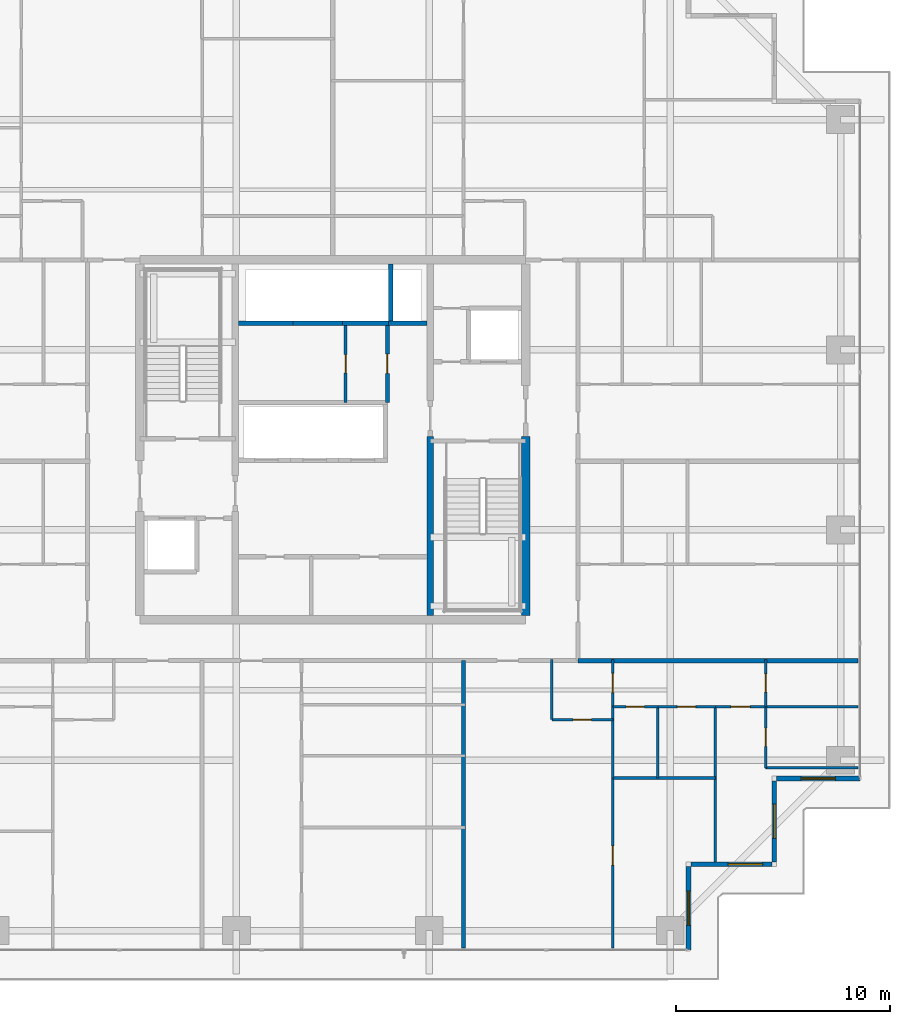
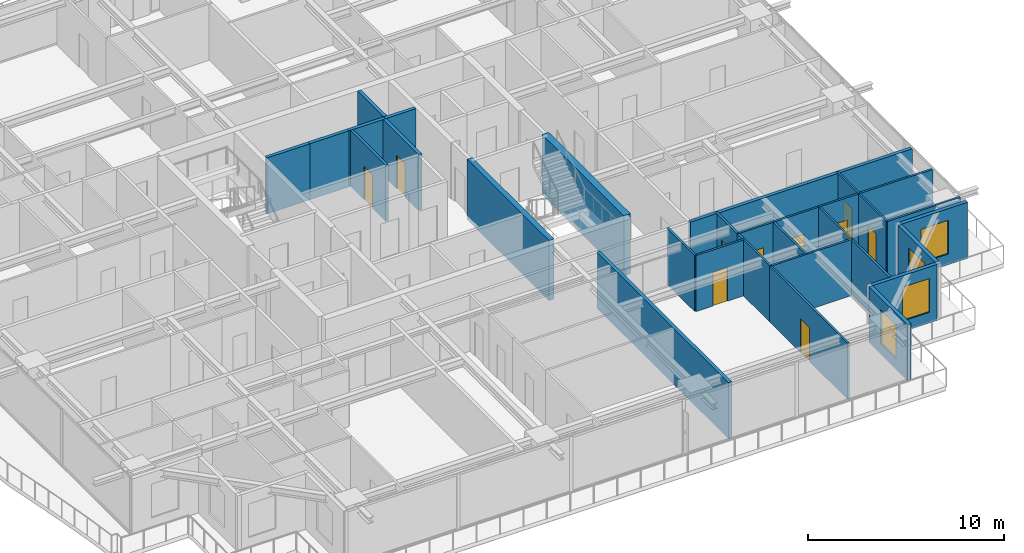
# One storey, part 28 of 39: 30 walls, 10 doors, 4 windows, 14 openings.
"""IFC4 building model written with IfcOpenShell, lengths in metres."""

from ifc_helpers import new_model, si_unit, direction, frame, frame_2d, origin, place, context, subcontext, project, spatial, rectangle, extrude, source, transform, mapped, material, layer, layer_set, type_object, element, fill, save


model = new_model("IFC4")

# Units and contexts
model_context = context("Model", 3, precision=1e-05, world=origin(), true_north=direction((0.0, 1.0)))
body_context = subcontext(model_context, "Body", "Model", "MODEL_VIEW")
ifc_project = project(units=[si_unit("LENGTHUNIT", "METRE"), si_unit("AREAUNIT", "SQUARE_METRE"), si_unit("VOLUMEUNIT", "CUBIC_METRE"), si_unit("PLANEANGLEUNIT", "RADIAN"), si_unit("MASSUNIT", "GRAM", prefix="KILO")], contexts=[model_context])

# Site, building, storey
site_placement = place(None, origin())
site = spatial("IfcSite", under=ifc_project, at=site_placement, CompositionType="ELEMENT")
building_placement = place(site_placement, origin())
building = spatial("IfcBuilding", under=site, at=building_placement, Name="Serunith Strait Residences", CompositionType="ELEMENT")
storey_placement = place(building_placement, frame((0.0, 0.0, 123.89990234375)))
storey = spatial("IfcBuildingStorey", under=building, at=storey_placement, Name="L30", CompositionType="ELEMENT", Elevation=123.89990234375)

# Wall, opening, window
ifc_material_1 = material(Name="Pale-Champagne Aluminium Insulated Panel", Category="aluminium")
ifc_layer_1 = layer(ifc_material_1, 0.219970703125, Name="Pale-Champagne Aluminium Insulated Panel")
ifc_layer_set_1 = layer_set([ifc_layer_1], Name="Pale-Champagne Aluminium Insulated Panel")
wall_type_1 = type_object("IfcWallType", Name="EW-ALUM-220", PredefinedType="ELEMENTEDWALL", material=ifc_layer_set_1)
wall_1_placement = place(storey_placement, frame((49.0, 1.39990234375, 0.0), z_axis=(0.0, 0.0, 1.0), x_axis=(0.0, 1.0, 0.0)))
wall_1 = element("IfcWall", 1, at=wall_1_placement, inside=storey, type_object=wall_type_1, Name="L30 Girih Serrated Corner Wall 02", PredefinedType="ELEMENTEDWALL", context=body_context, shape_type="SweptSolid", body=[
    extrude(rectangle(XDim=3.89013671875, YDim=0.219970703125, at=frame_2d((1.945068359375, 0.0))), origin(), (0.0, 0.0, 1.0), 3.47509765625),
])
opening_1_placement = place(wall_1_placement, frame((1.14501953125, 0.0, 0.64990234375)))
opening_1 = element("IfcOpeningElement", 2, at=opening_1_placement, cuts=wall_1, Name="Opening W-02", PredefinedType="OPENING", context=body_context, shape_type="SweptSolid", body=[
    extrude(rectangle(XDim=1.60009765625, YDim=2.10009765625, at=frame_2d((0.800048828125, 1.050048828125))), frame((0.0, 0.1201171875, 0.0), z_axis=(0.0, -1.0, 0.0), x_axis=(1.0, 0.0, 0.0)), (0.0, 0.0, 1.0), 0.239990234375),
])
ifc_material_2 = material(Name="Ceramic-Fritted Operable Aluminium Window Glass", Category="aluminium")
window_type = type_object("IfcWindowType", Name="WIN-C2", PartitioningType="DOUBLE_PANEL_VERTICAL", PredefinedType="WINDOW", material=ifc_material_2)
shared_shape_1 = source(origin(), body_context, "Body", "SweptSolid", [
    extrude(rectangle(XDim=1.60009765625, YDim=2.10009765625, at=frame_2d((0.800048828125, 1.050048828125))), frame((0.0, 0.030029296875, 0.0), z_axis=(0.0, -1.0, 0.0), x_axis=(1.0, 0.0, 0.0)), (0.0, 0.0, 1.0), 0.06005859375),
])
window_1_placement = place(opening_1_placement, origin())
window_1 = element("IfcWindow", 3, at=window_1_placement, inside=storey, type_object=window_type, Name="L30 Corner Operable Fritted Window 02", OverallHeight=2.10009765625, OverallWidth=1.60009765625, PartitioningType="SINGLE_PANEL", PredefinedType="WINDOW", context=body_context, shape_type="MappedRepresentation", body=[
    mapped(shared_shape_1, transform((0.0, 0.0, 0.0), scale=1.0)),
])
fill(opening_1, window_1)

wall_2_placement = place(storey_placement, frame((49.110107421875, 5.39990234375, 0.0), z_axis=(0.0, 0.0, 1.0), x_axis=(1.0, 0.0, 0.0)))
wall_2 = element("IfcWall", 4, at=wall_2_placement, inside=storey, type_object=wall_type_1, Name="L30 Girih Serrated Corner Wall 03", PredefinedType="ELEMENTEDWALL", context=body_context, shape_type="SweptSolid", body=[
    extrude(rectangle(XDim=3.77978515625, YDim=0.219970703125, at=frame_2d((1.889892578125, 0.0))), origin(), (0.0, 0.0, 1.0), 3.47509765625),
])
opening_2_placement = place(wall_2_placement, frame((1.743896484375, 0.0, 0.64990234375)))
opening_2 = element("IfcOpeningElement", 5, at=opening_2_placement, cuts=wall_2, Name="Opening W-02", PredefinedType="OPENING", context=body_context, shape_type="SweptSolid", body=[
    extrude(rectangle(XDim=1.60009765625, YDim=2.10009765625, at=frame_2d((0.800048828125, 1.050048828125))), frame((0.0, 0.1201171875, 0.0), z_axis=(0.0, -1.0, 0.0), x_axis=(1.0, 0.0, 0.0)), (0.0, 0.0, 1.0), 0.239990234375),
])
window_2_placement = place(opening_2_placement, origin())
window_2 = element("IfcWindow", 6, at=window_2_placement, inside=storey, type_object=window_type, Name="L30 Corner Operable Fritted Window 03", OverallHeight=2.10009765625, OverallWidth=1.60009765625, PartitioningType="SINGLE_PANEL", PredefinedType="WINDOW", context=body_context, shape_type="MappedRepresentation", body=[
    mapped(shared_shape_1, transform((0.0, 0.0, 0.0), scale=1.0)),
])
fill(opening_2, window_2)

wall_3_placement = place(storey_placement, frame((53.0, 5.510009765625, 0.0), z_axis=(0.0, 0.0, 1.0), x_axis=(0.0, 1.0, 0.0)))
wall_3 = element("IfcWall", 7, at=wall_3_placement, inside=storey, type_object=wall_type_1, Name="L30 Girih Serrated Corner Wall 04", PredefinedType="ELEMENTEDWALL", context=body_context, shape_type="SweptSolid", body=[
    extrude(rectangle(XDim=3.780029296875, YDim=0.219970703125, at=frame_2d((1.89013671875, 0.0))), origin(), (0.0, 0.0, 1.0), 3.47509765625),
])
opening_3_placement = place(wall_3_placement, frame((1.090087890625, 0.0, 0.64990234375)))
opening_3 = element("IfcOpeningElement", 8, at=opening_3_placement, cuts=wall_3, Name="Opening W-02", PredefinedType="OPENING", context=body_context, shape_type="SweptSolid", body=[
    extrude(rectangle(XDim=1.60009765625, YDim=2.10009765625, at=frame_2d((0.800048828125, 1.050048828125))), frame((0.0, 0.1201171875, 0.0), z_axis=(0.0, -1.0, 0.0), x_axis=(1.0, 0.0, 0.0)), (0.0, 0.0, 1.0), 0.239990234375),
])
window_3_placement = place(opening_3_placement, origin())
window_3 = element("IfcWindow", 9, at=window_3_placement, inside=storey, type_object=window_type, Name="L30 Corner Operable Fritted Window 04", OverallHeight=2.10009765625, OverallWidth=1.60009765625, PartitioningType="SINGLE_PANEL", PredefinedType="WINDOW", context=body_context, shape_type="MappedRepresentation", body=[
    mapped(shared_shape_1, transform((0.0, 0.0, 0.0), scale=1.0)),
])
fill(opening_3, window_3)

wall_4_placement = place(storey_placement, frame((53.110107421875, 9.39990234375, 0.0), z_axis=(0.0, 0.0, 1.0), x_axis=(1.0, 0.0, 0.0)))
wall_4 = element("IfcWall", 10, at=wall_4_placement, inside=storey, type_object=wall_type_1, Name="L30 Girih Serrated Corner Wall 05", PredefinedType="ELEMENTEDWALL", context=body_context, shape_type="SweptSolid", body=[
    extrude(rectangle(XDim=3.889892578125, YDim=0.219970703125, at=frame_2d((1.94482421875, 0.0))), origin(), (0.0, 0.0, 1.0), 3.47509765625),
])
opening_4_placement = place(wall_4_placement, frame((1.14501953125, 0.0, 0.64990234375)))
opening_4 = element("IfcOpeningElement", 11, at=opening_4_placement, cuts=wall_4, Name="Opening W-02", PredefinedType="OPENING", context=body_context, shape_type="SweptSolid", body=[
    extrude(rectangle(XDim=1.60009765625, YDim=2.10009765625, at=frame_2d((0.800048828125, 1.050048828125))), frame((0.0, 0.1201171875, 0.0), z_axis=(0.0, -1.0, 0.0), x_axis=(1.0, 0.0, 0.0)), (0.0, 0.0, 1.0), 0.239990234375),
])
window_4_placement = place(opening_4_placement, origin())
window_4 = element("IfcWindow", 12, at=window_4_placement, inside=storey, type_object=window_type, Name="L30 Corner Operable Fritted Window 05", OverallHeight=2.10009765625, OverallWidth=1.60009765625, PartitioningType="SINGLE_PANEL", PredefinedType="WINDOW", context=body_context, shape_type="MappedRepresentation", body=[
    mapped(shared_shape_1, transform((0.0, 0.0, 0.0), scale=1.0)),
])
fill(opening_4, window_4)

# Wall, opening, door
ifc_material_3 = material(Name="Fire-rated masonry service closet wall", Category="masonry")
ifc_layer_2 = layer(ifc_material_3, 0.14990234375, Name="Fire-rated masonry service closet wall")
ifc_layer_set_2 = layer_set([ifc_layer_2], Name="Fire-rated masonry service closet wall")
wall_type_2 = type_object("IfcWallType", Name="IW-BOH-150", PredefinedType="PARTITIONING", material=ifc_layer_set_2)
wall_5_placement = place(storey_placement, frame((33.0, 26.949951171875, 0.0), z_axis=(0.0, 0.0, 1.0), x_axis=(0.0, 1.0, 0.0)))
wall_5 = element("IfcWall", 13, at=wall_5_placement, inside=storey, type_object=wall_type_2, Name="L30 Partition Wall 014", PredefinedType="PARTITIONING", context=body_context, shape_type="SweptSolid", body=[
    extrude(rectangle(XDim=3.60009765625, YDim=0.14990234375, at=frame_2d((1.800048828125, 0.0))), origin(), (0.0, 0.0, 1.0), 3.489990234375),
])
opening_5_placement = place(wall_5_placement, frame((1.375, 0.0, 0.0)))
opening_5 = element("IfcOpeningElement", 14, at=opening_5_placement, cuts=wall_5, Name="Opening FD-850", PredefinedType="OPENING", context=body_context, shape_type="SweptSolid", body=[
    extrude(rectangle(XDim=0.85009765625, YDim=2.10009765625, at=frame_2d((0.425048828125, 1.050048828125))), frame((0.0, 0.0849609375, 0.0), z_axis=(0.0, -1.0, 0.0), x_axis=(1.0, 0.0, 0.0)), (0.0, 0.0, 1.0), 0.169921875),
])
ifc_material_4 = material(Name="Powder-coated steel service closet door", Category="steel")
door_type_1 = type_object("IfcDoorType", Name="FD-BOH-850", OperationType="NOTDEFINED", PredefinedType="DOOR", material=ifc_material_4)
shared_shape_2 = source(origin(), body_context, "Body", "SweptSolid", [
    extrude(rectangle(XDim=0.85009765625, YDim=2.10009765625, at=frame_2d((0.425048828125, 1.050048828125))), frame((0.0, 0.02490234375, 0.0), z_axis=(0.0, -1.0, 0.0), x_axis=(1.0, 0.0, 0.0)), (0.0, 0.0, 1.0), 0.050048828125),
])
door_1_placement = place(opening_5_placement, origin())
door_1 = element("IfcDoor", 15, at=door_1_placement, inside=storey, type_object=door_type_1, Name="L30 LV Switchgear Door", OperationType="SINGLE_SWING_LEFT", OverallHeight=2.10009765625, OverallWidth=0.85009765625, PredefinedType="DOOR", context=body_context, shape_type="MappedRepresentation", body=[
    mapped(shared_shape_2, transform((0.0, 0.0, 0.0), scale=1.0)),
])
fill(opening_5, door_1)

ifc_material_5 = material(Name="Lightweight steel-stud gypsum partition", Category="steel")
ifc_layer_3 = layer(ifc_material_5, 0.1201171875, Name="Lightweight steel-stud gypsum partition")
ifc_layer_set_3 = layer_set([ifc_layer_3], Name="Lightweight steel-stud gypsum partition")
wall_type_3 = type_object("IfcWallType", Name="IW-PART-120", PredefinedType="PARTITIONING", material=ifc_layer_set_3)
wall_6_placement = place(storey_placement, frame((42.6201171875, 12.14990234375, 0.0), z_axis=(0.0, 0.0, 1.0), x_axis=(1.0, 0.0, 0.0)))
wall_6 = element("IfcWall", 16, at=wall_6_placement, inside=storey, type_object=wall_type_3, Name="L30 Partition Wall 054", PredefinedType="PARTITIONING", context=body_context, shape_type="SweptSolid", body=[
    extrude(rectangle(XDim=2.849853515625, YDim=0.1201171875, at=frame_2d((1.4248046875, 0.0))), origin(), (0.0, 0.0, 1.0), 3.489990234375),
])
opening_6_placement = place(wall_6_placement, frame((1.0, 0.0, 0.0)))
opening_6 = element("IfcOpeningElement", 17, at=opening_6_placement, cuts=wall_6, Name="Opening D-RM850", PredefinedType="OPENING", context=body_context, shape_type="SweptSolid", body=[
    extrude(rectangle(XDim=0.85009765625, YDim=2.10009765625, at=frame_2d((0.425048828125, 1.050048828125))), frame((0.0, 0.070068359375, 0.0), z_axis=(0.0, -1.0, 0.0), x_axis=(1.0, 0.0, 0.0)), (0.0, 0.0, 1.0), 0.14013671875),
])
ifc_material_6 = material(Name="Engineered timber flush study and kitchen door", Category="wood")
door_type_2 = type_object("IfcDoorType", Name="ID-ROOM-850", OperationType="NOTDEFINED", PredefinedType="DOOR", material=ifc_material_6)
door_2_placement = place(opening_6_placement, origin())
door_2 = element("IfcDoor", 18, at=door_2_placement, inside=storey, type_object=door_type_2, Name="L30 Kitchen 3003 Door", OperationType="SINGLE_SWING_LEFT", OverallHeight=2.10009765625, OverallWidth=0.85009765625, PredefinedType="DOOR", context=body_context, shape_type="MappedRepresentation", body=[
    mapped(shared_shape_2, transform((0.0, 0.0, 0.0), scale=1.0)),
])
fill(opening_6, door_2)

# Wall
wall_7_placement = place(storey_placement, frame((42.6201171875, 12.14990234375, 0.0), z_axis=(0.0, 0.0, 1.0), x_axis=(0.0, 1.0, 0.0)))
element("IfcWall", 19, at=wall_7_placement, inside=storey, type_object=wall_type_3, Name="L30 Partition Wall 055", PredefinedType="PARTITIONING", context=body_context, shape_type="SweptSolid", body=[
    extrude(rectangle(XDim=2.81005859375, YDim=0.1201171875, at=frame_2d((1.405029296875, 0.0))), origin(), (0.0, 0.0, 1.0), 3.489990234375),
])

# Wall, opening, door
wall_8_placement = place(storey_placement, frame((45.469970703125, 12.75, 0.0), z_axis=(0.0, 0.0, 1.0), x_axis=(0.0, 1.0, 0.0)))
wall_8 = element("IfcWall", 20, at=wall_8_placement, inside=storey, type_object=wall_type_3, Name="L30 Partition Wall 056", PredefinedType="PARTITIONING", context=body_context, shape_type="SweptSolid", body=[
    extrude(rectangle(XDim=2.2099609375, YDim=0.1201171875, at=frame_2d((1.10498046875, 0.0))), origin(), (0.0, 0.0, 1.0), 3.489990234375),
])
opening_7_placement = place(wall_8_placement, frame((0.655029296875, 0.0, 0.0)))
opening_7 = element("IfcOpeningElement", 21, at=opening_7_placement, cuts=wall_8, Name="Opening D-RM900", PredefinedType="OPENING", context=body_context, shape_type="SweptSolid", body=[
    extrude(rectangle(XDim=0.89990234375, YDim=2.10009765625, at=frame_2d((0.449951171875, 1.050048828125))), frame((0.0, 0.070068359375, 0.0), z_axis=(0.0, -1.0, 0.0), x_axis=(1.0, 0.0, 0.0)), (0.0, 0.0, 1.0), 0.14013671875),
])
ifc_material_7 = material(Name="Engineered timber flush bedroom door", Category="wood")
door_type_3 = type_object("IfcDoorType", Name="ID-ROOM-900", OperationType="NOTDEFINED", PredefinedType="DOOR", material=ifc_material_7)
shared_shape_3 = source(origin(), body_context, "Body", "SweptSolid", [
    extrude(rectangle(XDim=0.89990234375, YDim=2.10009765625, at=frame_2d((0.449951171875, 1.050048828125))), frame((0.0, 0.02490234375, 0.0), z_axis=(0.0, -1.0, 0.0), x_axis=(1.0, 0.0, 0.0)), (0.0, 0.0, 1.0), 0.050048828125),
])
door_3_placement = place(opening_7_placement, origin())
door_3 = element("IfcDoor", 22, at=door_3_placement, inside=storey, type_object=door_type_3, Name="L30 Hall E 3003 Door", OperationType="SINGLE_SWING_RIGHT", OverallHeight=2.10009765625, OverallWidth=0.89990234375, PredefinedType="DOOR", context=body_context, shape_type="MappedRepresentation", body=[
    mapped(shared_shape_3, transform((0.0, 0.0, 0.0), scale=1.0)),
])
fill(opening_7, door_3)

wall_9_placement = place(storey_placement, frame((45.469970703125, 1.4951171875, 0.0), z_axis=(0.0, 0.0, 1.0), x_axis=(0.0, 1.0, 0.0)))
wall_9 = element("IfcWall", 23, at=wall_9_placement, inside=storey, type_object=wall_type_3, Name="L30 Partition Wall 057", PredefinedType="PARTITIONING", context=body_context, shape_type="SweptSolid", body=[
    extrude(rectangle(XDim=7.928955078125, YDim=0.1201171875, at=frame_2d((3.96435546875, 0.0))), origin(), (0.0, 0.0, 1.0), 3.489990234375),
])
opening_8_placement = place(wall_9_placement, frame((3.865966796875, 0.0, 0.0)))
opening_8 = element("IfcOpeningElement", 24, at=opening_8_placement, cuts=wall_9, Name="Opening D-RM900", PredefinedType="OPENING", context=body_context, shape_type="SweptSolid", body=[
    extrude(rectangle(XDim=0.89990234375, YDim=2.10009765625, at=frame_2d((0.449951171875, 1.050048828125))), frame((0.0, 0.070068359375, 0.0), z_axis=(0.0, -1.0, 0.0), x_axis=(1.0, 0.0, 0.0)), (0.0, 0.0, 1.0), 0.14013671875),
])
door_4_placement = place(opening_8_placement, origin())
door_4 = element("IfcDoor", 25, at=door_4_placement, inside=storey, type_object=door_type_3, Name="L30 Formal Dining Room 1 3003 Door", OperationType="SINGLE_SWING_LEFT", OverallHeight=2.10009765625, OverallWidth=0.89990234375, PredefinedType="DOOR", context=body_context, shape_type="MappedRepresentation", body=[
    mapped(shared_shape_3, transform((0.0, 0.0, 0.0), scale=1.0)),
])
fill(opening_8, door_4)

# Walls
wall_10_placement = place(storey_placement, frame((45.469970703125, 9.426025390625, 0.0), z_axis=(0.0, 0.0, 1.0), x_axis=(0.0, 1.0, 0.0)))
element("IfcWall", 26, at=wall_10_placement, inside=storey, type_object=wall_type_3, Name="L30 Partition Wall 058", PredefinedType="PARTITIONING", context=body_context, shape_type="SweptSolid", body=[
    extrude(rectangle(XDim=3.322021484375, YDim=0.1201171875, at=frame_2d((1.6611328125, 0.0))), origin(), (0.0, 0.0, 1.0), 3.489990234375),
])
wall_11_placement = place(storey_placement, frame((45.469970703125, 9.424072265625, 0.0), z_axis=(0.0, 0.0, 1.0), x_axis=(1.0, 0.0, 0.0)))
element("IfcWall", 27, at=wall_11_placement, inside=storey, type_object=wall_type_3, Name="L30 Partition Wall 059", PredefinedType="PARTITIONING", context=body_context, shape_type="SweptSolid", body=[
    extrude(rectangle(XDim=4.780029296875, YDim=0.1201171875, at=frame_2d((2.39013671875, 0.0))), origin(), (0.0, 0.0, 1.0), 3.489990234375),
])
wall_12_placement = place(storey_placement, frame((50.25, 5.4951171875, 0.0), z_axis=(0.0, 0.0, 1.0), x_axis=(0.0, 1.0, 0.0)))
element("IfcWall", 28, at=wall_12_placement, inside=storey, type_object=wall_type_3, Name="L30 Partition Wall 060", PredefinedType="PARTITIONING", context=body_context, shape_type="SweptSolid", body=[
    extrude(rectangle(XDim=7.2548828125, YDim=0.1201171875, at=frame_2d((3.62744140625, 0.0))), origin(), (0.0, 0.0, 1.0), 3.489990234375),
])
wall_13_placement = place(storey_placement, frame((47.570068359375, 9.424072265625, 0.0), z_axis=(0.0, 0.0, 1.0), x_axis=(0.0, 1.0, 0.0)))
element("IfcWall", 29, at=wall_13_placement, inside=storey, type_object=wall_type_3, Name="L30 Partition Wall 061", PredefinedType="PARTITIONING", context=body_context, shape_type="SweptSolid", body=[
    extrude(rectangle(XDim=3.325927734375, YDim=0.1201171875, at=frame_2d((1.6630859375, 0.0))), origin(), (0.0, 0.0, 1.0), 3.489990234375),
])

# Wall, opening, door
wall_14_placement = place(storey_placement, frame((45.469970703125, 12.75, 0.0), z_axis=(0.0, 0.0, 1.0), x_axis=(1.0, 0.0, 0.0)))
wall_14 = element("IfcWall", 30, at=wall_14_placement, inside=storey, type_object=wall_type_3, Name="L30 Partition Wall 062", PredefinedType="PARTITIONING", context=body_context, shape_type="SweptSolid", body=[
    extrude(rectangle(XDim=2.10009765625, YDim=0.1201171875, at=frame_2d((1.050048828125, 0.0))), origin(), (0.0, 0.0, 1.0), 3.489990234375),
])
opening_9_placement = place(wall_14_placement, frame((0.625, 0.0, 0.0)))
opening_9 = element("IfcOpeningElement", 31, at=opening_9_placement, cuts=wall_14, Name="Opening D-BTH850", PredefinedType="OPENING", context=body_context, shape_type="SweptSolid", body=[
    extrude(rectangle(XDim=0.85009765625, YDim=2.10009765625, at=frame_2d((0.425048828125, 1.050048828125))), frame((0.0, 0.070068359375, 0.0), z_axis=(0.0, -1.0, 0.0), x_axis=(1.0, 0.0, 0.0)), (0.0, 0.0, 1.0), 0.14013671875),
])
ifc_material_8 = material(Name="Moisture-resistant timber bathroom door", Category="wood")
door_type_4 = type_object("IfcDoorType", Name="ID-BATH-850", OperationType="NOTDEFINED", PredefinedType="DOOR", material=ifc_material_8)
door_5_placement = place(opening_9_placement, origin())
door_5 = element("IfcDoor", 32, at=door_5_placement, inside=storey, type_object=door_type_4, Name="L30 Bathroom 3003 Door", OperationType="SINGLE_SWING_RIGHT", OverallHeight=2.10009765625, OverallWidth=0.85009765625, PredefinedType="DOOR", context=body_context, shape_type="MappedRepresentation", body=[
    mapped(shared_shape_2, transform((0.0, 0.0, 0.0), scale=1.0)),
])
fill(opening_9, door_5)

wall_15_placement = place(storey_placement, frame((47.572021484375, 12.75, 0.0), z_axis=(0.0, 0.0, 1.0), x_axis=(1.0, 0.0, 0.0)))
wall_15 = element("IfcWall", 33, at=wall_15_placement, inside=storey, type_object=wall_type_3, Name="L30 Partition Wall 063", PredefinedType="PARTITIONING", context=body_context, shape_type="SweptSolid", body=[
    extrude(rectangle(XDim=2.677978515625, YDim=0.1201171875, at=frame_2d((1.3388671875, 0.0))), origin(), (0.0, 0.0, 1.0), 3.489990234375),
])
opening_10_placement = place(wall_15_placement, frame((0.9140625, 0.0, 0.0)))
opening_10 = element("IfcOpeningElement", 34, at=opening_10_placement, cuts=wall_15, Name="Opening D-RM850", PredefinedType="OPENING", context=body_context, shape_type="SweptSolid", body=[
    extrude(rectangle(XDim=0.85009765625, YDim=2.10009765625, at=frame_2d((0.425048828125, 1.050048828125))), frame((0.0, 0.070068359375, 0.0), z_axis=(0.0, -1.0, 0.0), x_axis=(1.0, 0.0, 0.0)), (0.0, 0.0, 1.0), 0.14013671875),
])
door_6_placement = place(opening_10_placement, origin())
door_6 = element("IfcDoor", 35, at=door_6_placement, inside=storey, type_object=door_type_2, Name="L30 Laundry Room 3003 Door", OperationType="SINGLE_SWING_LEFT", OverallHeight=2.10009765625, OverallWidth=0.85009765625, PredefinedType="DOOR", context=body_context, shape_type="MappedRepresentation", body=[
    mapped(shared_shape_2, transform((0.0, 0.0, 0.0), scale=1.0)),
])
fill(opening_10, door_6)

wall_16_placement = place(storey_placement, frame((50.251953125, 12.75, 0.0), z_axis=(0.0, 0.0, 1.0), x_axis=(1.0, 0.0, 0.0)))
wall_16 = element("IfcWall", 36, at=wall_16_placement, inside=storey, type_object=wall_type_3, Name="L30 Partition Wall 064", PredefinedType="PARTITIONING", context=body_context, shape_type="SweptSolid", body=[
    extrude(rectangle(XDim=2.34814453125, YDim=0.1201171875, at=frame_2d((1.174072265625, 0.0))), origin(), (0.0, 0.0, 1.0), 3.489990234375),
])
opening_11_placement = place(wall_16_placement, frame((0.72412109375, 0.0, 0.0)))
opening_11 = element("IfcOpeningElement", 37, at=opening_11_placement, cuts=wall_16, Name="Opening D-RM900", PredefinedType="OPENING", context=body_context, shape_type="SweptSolid", body=[
    extrude(rectangle(XDim=0.89990234375, YDim=2.10009765625, at=frame_2d((0.449951171875, 1.050048828125))), frame((0.0, 0.070068359375, 0.0), z_axis=(0.0, -1.0, 0.0), x_axis=(1.0, 0.0, 0.0)), (0.0, 0.0, 1.0), 0.14013671875),
])
door_7_placement = place(opening_11_placement, origin())
door_7 = element("IfcDoor", 38, at=door_7_placement, inside=storey, type_object=door_type_3, Name="L30 Master Bedroom E 3003 Door", OperationType="SINGLE_SWING_RIGHT", OverallHeight=2.10009765625, OverallWidth=0.89990234375, PredefinedType="DOOR", context=body_context, shape_type="MappedRepresentation", body=[
    mapped(shared_shape_3, transform((0.0, 0.0, 0.0), scale=1.0)),
])
fill(opening_11, door_7)

# Walls
wall_17_placement = place(storey_placement, frame((52.60009765625, 9.89501953125, 0.0), z_axis=(0.0, 0.0, 1.0), x_axis=(1.0, 0.0, 0.0)))
element("IfcWall", 39, at=wall_17_placement, inside=storey, type_object=wall_type_3, Name="L30 Partition Wall 065", PredefinedType="PARTITIONING", context=body_context, shape_type="SweptSolid", body=[
    extrude(rectangle(XDim=4.304931640625, YDim=0.1201171875, at=frame_2d((2.15234375, 0.0))), origin(), (0.0, 0.0, 1.0), 3.489990234375),
])
wall_18_placement = place(storey_placement, frame((52.60205078125, 12.75, 0.0), z_axis=(0.0, 0.0, 1.0), x_axis=(1.0, 0.0, 0.0)))
element("IfcWall", 40, at=wall_18_placement, inside=storey, type_object=wall_type_3, Name="L30 Partition Wall 066", PredefinedType="PARTITIONING", context=body_context, shape_type="SweptSolid", body=[
    extrude(rectangle(XDim=4.302978515625, YDim=0.1201171875, at=frame_2d((2.1513671875, 0.0))), origin(), (0.0, 0.0, 1.0), 3.489990234375),
])

# Wall, opening, door
wall_19_placement = place(storey_placement, frame((52.60009765625, 9.89501953125, 0.0), z_axis=(0.0, 0.0, 1.0), x_axis=(0.0, 1.0, 0.0)))
wall_19 = element("IfcWall", 41, at=wall_19_placement, inside=storey, type_object=wall_type_3, Name="L30 Partition Wall 067", PredefinedType="PARTITIONING", context=body_context, shape_type="SweptSolid", body=[
    extrude(rectangle(XDim=2.85498046875, YDim=0.1201171875, at=frame_2d((1.427490234375, 0.0))), origin(), (0.0, 0.0, 1.0), 3.489990234375),
])
opening_12_placement = place(wall_19_placement, frame((1.0029296875, 0.0, 0.0)))
opening_12 = element("IfcOpeningElement", 42, at=opening_12_placement, cuts=wall_19, Name="Opening D-BTH850", PredefinedType="OPENING", context=body_context, shape_type="SweptSolid", body=[
    extrude(rectangle(XDim=0.85009765625, YDim=2.10009765625, at=frame_2d((0.425048828125, 1.050048828125))), frame((0.0, 0.070068359375, 0.0), z_axis=(0.0, -1.0, 0.0), x_axis=(1.0, 0.0, 0.0)), (0.0, 0.0, 1.0), 0.14013671875),
])
door_8_placement = place(opening_12_placement, origin())
door_8 = element("IfcDoor", 43, at=door_8_placement, inside=storey, type_object=door_type_4, Name="L30 En-suite Bathroom E 3003 Door", OperationType="SINGLE_SWING_LEFT", OverallHeight=2.10009765625, OverallWidth=0.85009765625, PredefinedType="DOOR", context=body_context, shape_type="MappedRepresentation", body=[
    mapped(shared_shape_2, transform((0.0, 0.0, 0.0), scale=1.0)),
])
fill(opening_12, door_8)

wall_20_placement = place(storey_placement, frame((52.60009765625, 12.751953125, 0.0), z_axis=(0.0, 0.0, 1.0), x_axis=(0.0, 1.0, 0.0)))
wall_20 = element("IfcWall", 44, at=wall_20_placement, inside=storey, type_object=wall_type_3, Name="L30 Partition Wall 068", PredefinedType="PARTITIONING", context=body_context, shape_type="SweptSolid", body=[
    extrude(rectangle(XDim=2.2080078125, YDim=0.1201171875, at=frame_2d((1.10400390625, 0.0))), origin(), (0.0, 0.0, 1.0), 3.489990234375),
])
opening_13_placement = place(wall_20_placement, frame((0.678955078125, 0.0, 0.0)))
opening_13 = element("IfcOpeningElement", 45, at=opening_13_placement, cuts=wall_20, Name="Opening D-RM850", PredefinedType="OPENING", context=body_context, shape_type="SweptSolid", body=[
    extrude(rectangle(XDim=0.85009765625, YDim=2.10009765625, at=frame_2d((0.425048828125, 1.050048828125))), frame((0.0, 0.070068359375, 0.0), z_axis=(0.0, -1.0, 0.0), x_axis=(1.0, 0.0, 0.0)), (0.0, 0.0, 1.0), 0.14013671875),
])
door_9_placement = place(opening_13_placement, origin())
door_9 = element("IfcDoor", 46, at=door_9_placement, inside=storey, type_object=door_type_2, Name="L30 Wardrobe E 3003 Door", OperationType="SINGLE_SWING_RIGHT", OverallHeight=2.10009765625, OverallWidth=0.85009765625, PredefinedType="DOOR", context=body_context, shape_type="MappedRepresentation", body=[
    mapped(shared_shape_2, transform((0.0, 0.0, 0.0), scale=1.0)),
])
fill(opening_13, door_9)

# Walls
ifc_material_9 = material(Name="Twin-stud acoustic gypsum board partition")
ifc_layer_4 = layer(ifc_material_9, 0.199951171875, Name="Twin-stud acoustic gypsum board partition")
ifc_layer_set_4 = layer_set([ifc_layer_4], Name="Twin-stud acoustic gypsum board partition")
wall_type_4 = type_object("IfcWallType", Name="IW-PARTY-200", PredefinedType="PARTITIONING", material=ifc_layer_set_4)
wall_21_placement = place(storey_placement, frame((38.5, 1.48193359375, 0.0), z_axis=(0.0, 0.0, 1.0), x_axis=(0.0, 1.0, 0.0)))
element("IfcWall", 47, at=wall_21_placement, inside=storey, type_object=wall_type_4, Name="L30 Partition Wall 019", PredefinedType="PARTITIONING", context=body_context, shape_type="SweptSolid", body=[
    extrude(rectangle(XDim=13.41796875, YDim=0.199951171875, at=frame_2d((6.708984375, 0.0))), origin(), (0.0, 0.0, 1.0), 3.489990234375),
])
wall_22_placement = place(storey_placement, frame((43.85009765625, 14.89990234375, 0.0), z_axis=(0.0, 0.0, 1.0), x_axis=(1.0, 0.0, 0.0)))
element("IfcWall", 48, at=wall_22_placement, inside=storey, type_object=wall_type_4, Name="L30 Partition Wall 024", PredefinedType="PARTITIONING", context=body_context, shape_type="SweptSolid", body=[
    extrude(rectangle(XDim=13.06787109375, YDim=0.199951171875, at=frame_2d((6.533935546875, 0.0))), origin(), (0.0, 0.0, 1.0), 3.489990234375),
])
ifc_material_10 = material(Name="Autoclaved aerated concrete blockwork", Category="masonry")
ifc_layer_5 = layer(ifc_material_10, 0.199951171875, Name="Autoclaved aerated concrete blockwork")
ifc_layer_set_5 = layer_set([ifc_layer_5], Name="Autoclaved aerated concrete blockwork")
wall_type_5 = type_object("IfcWallType", Name="IW-SHAFT-200", PredefinedType="STANDARD", material=ifc_layer_set_5)
wall_23_placement = place(storey_placement, frame((28.0, 30.64990234375, 0.0), z_axis=(0.0, 0.0, 1.0), x_axis=(1.0, 0.0, 0.0)))
element("IfcWall", 49, at=wall_23_placement, inside=storey, type_object=wall_type_5, Name="L30 PL-7 South Shaft Wall", PredefinedType="STANDARD", context=body_context, shape_type="SweptSolid", body=[
    extrude(rectangle(XDim=2.550048828125, YDim=0.199951171875, at=frame_2d((1.27490234375, 0.0))), origin(), (0.0, 0.0, 1.0), 3.489990234375),
])
wall_24_placement = place(storey_placement, frame((30.550048828125, 30.64990234375, 0.0), z_axis=(0.0, 0.0, 1.0), x_axis=(1.0, 0.0, 0.0)))
element("IfcWall", 50, at=wall_24_placement, inside=storey, type_object=wall_type_5, Name="L30 PL-8 South Shaft Wall", PredefinedType="STANDARD", context=body_context, shape_type="SweptSolid", body=[
    extrude(rectangle(XDim=2.300048828125, YDim=0.199951171875, at=frame_2d((1.14990234375, 0.0))), origin(), (0.0, 0.0, 1.0), 3.489990234375),
])
wall_25_placement = place(storey_placement, frame((32.85009765625, 30.64990234375, 0.0), z_axis=(0.0, 0.0, 1.0), x_axis=(1.0, 0.0, 0.0)))
element("IfcWall", 51, at=wall_25_placement, inside=storey, type_object=wall_type_5, Name="L30 PL-9 South Shaft Wall", PredefinedType="STANDARD", context=body_context, shape_type="SweptSolid", body=[
    extrude(rectangle(XDim=2.14990234375, YDim=0.199951171875, at=frame_2d((1.074951171875, 0.0))), origin(), (0.0, 0.0, 1.0), 3.489990234375),
])
wall_26_placement = place(storey_placement, frame((35.0, 30.64990234375, 0.0), z_axis=(0.0, 0.0, 1.0), x_axis=(1.0, 0.0, 0.0)))
element("IfcWall", 52, at=wall_26_placement, inside=storey, type_object=wall_type_5, Name="L30 SL-1 South Shaft Wall", PredefinedType="STANDARD", context=body_context, shape_type="SweptSolid", body=[
    extrude(rectangle(XDim=1.800048828125, YDim=0.199951171875, at=frame_2d((0.89990234375, 0.0))), origin(), (0.0, 0.0, 1.0), 3.489990234375),
])
wall_27_placement = place(storey_placement, frame((35.10009765625, 30.75, 0.0), z_axis=(0.0, 0.0, 1.0), x_axis=(0.0, 1.0, 0.0)))
element("IfcWall", 53, at=wall_27_placement, inside=storey, type_object=wall_type_5, Name="L30 SL-1 West Shaft Wall", PredefinedType="STANDARD", context=body_context, shape_type="SweptSolid", body=[
    extrude(rectangle(XDim=2.64990234375, YDim=0.199951171875, at=frame_2d((1.324951171875, 0.0))), origin(), (0.0, 0.0, 1.0), 3.489990234375),
])

# Wall, opening, door
wall_28_placement = place(storey_placement, frame((34.949951171875, 26.949951171875, 0.0), z_axis=(0.0, 0.0, 1.0), x_axis=(0.0, 1.0, 0.0)))
wall_28 = element("IfcWall", 54, at=wall_28_placement, inside=storey, type_object=wall_type_5, Name="L30 Partition Wall 013", PredefinedType="STANDARD", context=body_context, shape_type="SweptSolid", body=[
    extrude(rectangle(XDim=3.60009765625, YDim=0.199951171875, at=frame_2d((1.800048828125, 0.0))), origin(), (0.0, 0.0, 1.0), 3.489990234375),
])
opening_14_placement = place(wall_28_placement, frame((1.35009765625, 0.0, 0.0)))
opening_14 = element("IfcOpeningElement", 55, at=opening_14_placement, cuts=wall_28, Name="Opening FD-900", PredefinedType="OPENING", context=body_context, shape_type="SweptSolid", body=[
    extrude(rectangle(XDim=0.89990234375, YDim=2.10009765625, at=frame_2d((0.449951171875, 1.050048828125))), frame((0.0, 0.10986328125, 0.0), z_axis=(0.0, -1.0, 0.0), x_axis=(1.0, 0.0, 0.0)), (0.0, 0.0, 1.0), 0.219970703125),
])
ifc_material_11 = material(Name="Powder-coated steel riser door", Category="steel")
door_type_5 = type_object("IfcDoorType", Name="FD-BOH-900", OperationType="NOTDEFINED", PredefinedType="DOOR", material=ifc_material_11)
door_10_placement = place(opening_14_placement, origin())
door_10 = element("IfcDoor", 56, at=door_10_placement, inside=storey, type_object=door_type_5, Name="L30 Meter Plant Door", OperationType="SINGLE_SWING_RIGHT", OverallHeight=2.10009765625, OverallWidth=0.89990234375, PredefinedType="DOOR", context=body_context, shape_type="MappedRepresentation", body=[
    mapped(shared_shape_3, transform((0.0, 0.0, 0.0), scale=1.0)),
])
fill(opening_14, door_10)

# Walls
ifc_material_12 = material(Name="Concrete C70/85", Category="concrete")
ifc_layer_6 = layer(ifc_material_12, 0.300048828125, Name="Concrete C70/85")
ifc_layer_set_6 = layer_set([ifc_layer_6], Name="Concrete C70/85")
wall_type_6 = type_object("IfcWallType", Name="SW-300-C70", PredefinedType="SHEAR", material=ifc_layer_set_6)
wall_29_placement = place(storey_placement, frame((36.949951171875, 17.0, -0.260009765625), z_axis=(0.0, 0.0, 1.0), x_axis=(0.0, 1.0, 0.0)))
element("IfcWall", 57, at=wall_29_placement, inside=storey, type_object=wall_type_6, Name="L30 Core Internal East Web South Pier", PredefinedType="SHEAR", context=body_context, shape_type="SweptSolid", body=[
    extrude(rectangle(XDim=8.35009765625, YDim=0.300048828125, at=frame_2d((4.175048828125, 0.0))), origin(), (0.0, 0.0, 1.0), 3.748046875),
])
ifc_layer_7 = layer(ifc_material_12, 0.39990234375, Name="Concrete C70/85")
ifc_layer_set_7 = layer_set([ifc_layer_7], Name="Concrete C70/85")
wall_type_7 = type_object("IfcWallType", Name="SW-400-C70", PredefinedType="SHEAR", material=ifc_layer_set_7)
wall_30_placement = place(storey_placement, frame((41.39990234375, 17.0, -0.260009765625), z_axis=(0.0, 0.0, 1.0), x_axis=(0.0, 1.0, 0.0)))
element("IfcWall", 58, at=wall_30_placement, inside=storey, type_object=wall_type_7, Name="L30 Core East Shear Wall South Pier", PredefinedType="SHEAR", context=body_context, shape_type="SweptSolid", body=[
    extrude(rectangle(XDim=8.35009765625, YDim=0.39990234375, at=frame_2d((4.175048828125, 0.0))), origin(), (0.0, 0.0, 1.0), 3.748046875),
])

save(model, "model.ifc")
